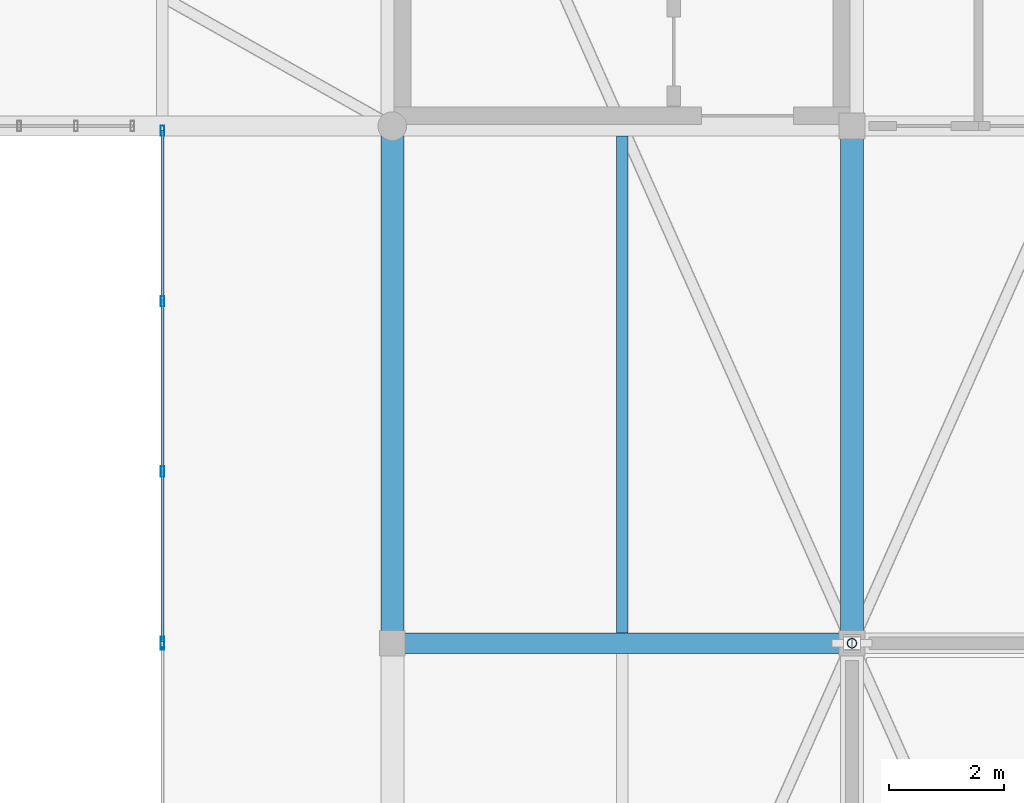
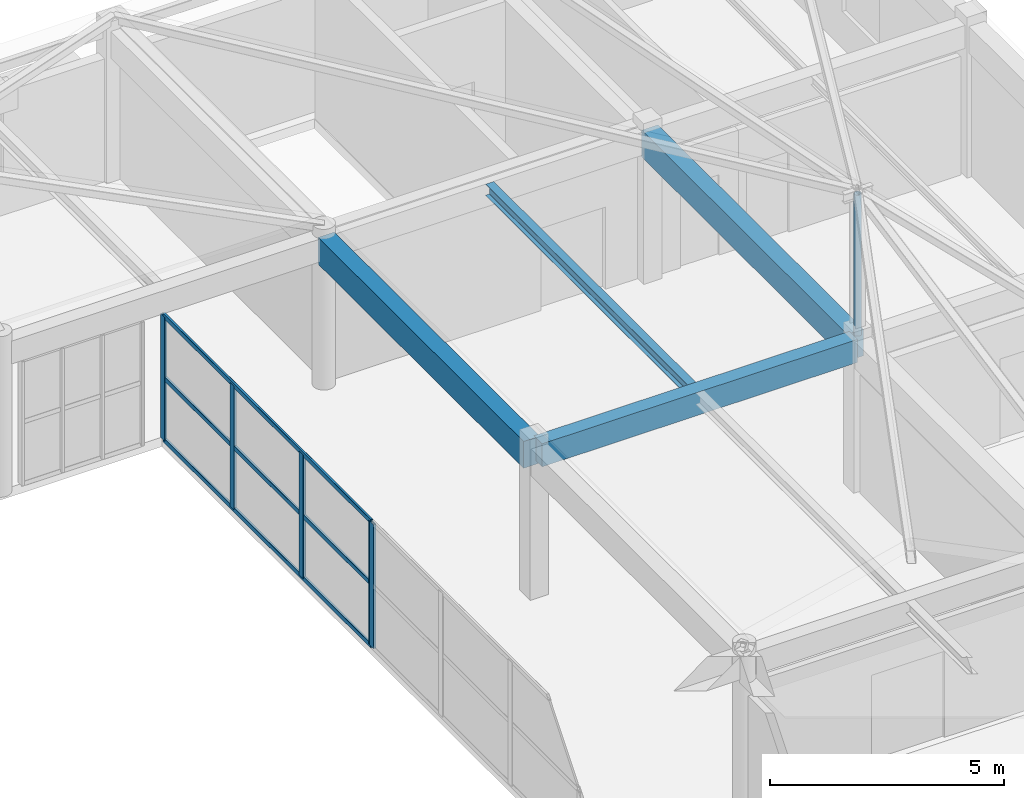
# One storey, part 34 of 63: 9 members, 4 beams, 2 elements without a shape of their own.
"""IFC4 building model written with IfcOpenShell, lengths in metres."""

from ifc_helpers import new_model, si_unit, direction, frame, origin, origin_2d, place, context, subcontext, project, spatial, rectangle, hollow_rectangle, hollow_circle, i_section, extrude, material, material_profile, profile_set, type_object, element, aggregate, save


model = new_model("IFC4")

# Units and contexts
model_context = context("Model", 3, precision=1e-05, world=origin(), true_north=direction((0.0, 1.0)))
body_context = subcontext(model_context, "Body", "Model", "MODEL_VIEW")
ifc_project = project(units=[si_unit("LENGTHUNIT", "METRE"), si_unit("AREAUNIT", "SQUARE_METRE"), si_unit("VOLUMEUNIT", "CUBIC_METRE"), si_unit("PLANEANGLEUNIT", "RADIAN"), si_unit("MASSUNIT", "GRAM", prefix="KILO")], contexts=[model_context])

# Site, building, storey
site_placement = place(None, origin())
site = spatial("IfcSite", under=ifc_project, at=site_placement, CompositionType="ELEMENT")
building_placement = place(site_placement, origin())
building = spatial("IfcBuilding", under=site, at=building_placement, Name="Varnabhumi Central Station", CompositionType="ELEMENT")
storey_placement = place(building_placement, frame((0.0, 0.0, 20.39990234375)))
storey = spatial("IfcBuildingStorey", under=building, at=storey_placement, Name="L04", CompositionType="ELEMENT", Elevation=20.39990234375)

# Beams
ifc_material_1 = material(Name="Concrete M40", Category="concrete")
ifc_material_profile_1 = material_profile(ifc_material_1, rectangle(XDim=0.35009765625, YDim=0.60009765625, at=origin_2d()), Name="Concrete M40", Category="concrete")
ifc_profile_set_1 = profile_set([ifc_material_profile_1], Name="Concrete M40")
beam_type_1 = type_object("IfcBeamType", Name="BM-RC-350x600", PredefinedType="BEAM", material=ifc_profile_set_1)
beam_1_placement = place(storey_placement, frame((80.10009765625, 98.0, 3.650146484375), z_axis=(1.0, 0.0, 0.0), x_axis=(0.0, 1.0, 0.0)))
element("IfcBeam", 1, at=beam_1_placement, inside=storey, type_object=beam_type_1, Name="Beam L04-M:11-12", PredefinedType="BEAM", context=body_context, shape_type="SweptSolid", body=[
    extrude(rectangle(XDim=0.35009765625, YDim=0.60009765625, at=origin_2d()), origin(), (0.0, 0.0, 1.0), 7.7998046875),
])
ifc_material_profile_2 = material_profile(ifc_material_1, rectangle(XDim=0.39990234375, YDim=0.699951171875, at=origin_2d()), Name="Concrete M40", Category="concrete")
ifc_profile_set_2 = profile_set([ifc_material_profile_2], Name="Concrete M40")
beam_type_2 = type_object("IfcBeamType", Name="BM-RC-700x400", PredefinedType="BEAM", material=ifc_profile_set_2)
for number, where, z_axis, x_axis, name in (
    (2, (80.0, 98.10009765625, 3.60009765625), (0.0, 1.0, 0.0), (-1.0, 0.0, 0.0), "Beam L04-11:M-N"),
    (3, (88.0, 98.10009765625, 3.60009765625), (0.0, 1.0, 0.0), (-1.0, 0.0, 0.0), "Beam L04-12:M-N"),
):
    element("IfcBeam", number, at=place(storey_placement, frame(where, z_axis=z_axis, x_axis=x_axis)), inside=storey, type_object=beam_type_2, Name=name, PredefinedType="BEAM", context=body_context, shape_type="SweptSolid", body=[
        extrude(rectangle(XDim=0.39990234375, YDim=0.699951171875, at=origin_2d()), origin(), (0.0, 0.0, 1.0), 8.7998046875),
    ])
ifc_material_2 = material(Name="Structural steel E350", Category="steel")
ifc_material_profile_3 = material_profile(ifc_material_2, i_section(OverallWidth=0.199951171875, OverallDepth=0.300048828125, WebThickness=0.00732421875, FlangeThickness=0.010009765625, FilletRadius=0.010986328125, at=origin_2d()), Name="Structural steel E350", Category="steel")
ifc_profile_set_3 = profile_set([ifc_material_profile_3], Name="Structural steel E350")
beam_type_3 = type_object("IfcBeamType", Name="BM-STL-ISWB300", PredefinedType="JOIST", material=ifc_profile_set_3)
beam_2_placement = place(storey_placement, frame((84.0, 98.175048828125, 3.800048828125), z_axis=(0.0, 1.0, 0.0), x_axis=(-1.0, 0.0, 0.0)))
element("IfcBeam", 4, at=beam_2_placement, inside=storey, type_object=beam_type_3, Name="Secondary Joist L04-11/12:M-N", PredefinedType="JOIST", context=body_context, shape_type="SweptSolid", body=[
    extrude(i_section(OverallWidth=0.199951171875, OverallDepth=0.300048828125, WebThickness=0.00732421875, FlangeThickness=0.010009765625, FilletRadius=0.010986328125, at=origin_2d()), origin(), (0.0, 0.0, 1.0), 8.64990234375),
])

# Curtain wall, member
ifc_material_3 = material(Name="Anodised aluminium 6063-T6", Category="aluminium")
curtain_wall_type = type_object("IfcCurtainWallType", Name="CW-PATIO-LOGGIA-L3", PredefinedType="NOTDEFINED", material=ifc_material_3)
curtain_wall_1_placement = place(storey_placement, origin())
curtain_wall_1 = element("IfcCurtainWall", 5, at=curtain_wall_1_placement, inside=storey, type_object=curtain_wall_type, Name="Curtain Wall CW-NP4W1", PredefinedType="NOTDEFINED")
ifc_material_profile_4 = material_profile(ifc_material_3, hollow_rectangle(XDim=0.06494140625, YDim=0.179931640625, WallThickness=0.00390625, InnerFilletRadius=0.001953125, OuterFilletRadius=0.006103515625, at=origin_2d()), Name="Anodised aluminium 6063-T6", Category="aluminium")
ifc_profile_set_4 = profile_set([ifc_material_profile_4], Name="Anodised aluminium 6063-T6")
member_type_1 = type_object("IfcMemberType", Name="CW-MUL-180", PredefinedType="MULLION", material=ifc_profile_set_4)
member_1_placement = place(storey_placement, frame((76.0, 97.97998046875, 0.0), z_axis=(0.0, 0.0, 1.0), x_axis=(1.0, 0.0, 0.0)))
member_1 = element("IfcMember", 6, at=member_1_placement, type_object=member_type_1, Name="Curtain Wall Mullion CW-NP4W1-M4", PredefinedType="MULLION", context=body_context, shape_type="SweptSolid", body=[
    extrude(hollow_rectangle(XDim=0.06494140625, YDim=0.179931640625, WallThickness=0.00390625, InnerFilletRadius=0.001953125, OuterFilletRadius=0.006103515625, at=origin_2d()), origin(), (0.0, 0.0, 1.0), 3.239990234375),
])
aggregate(curtain_wall_1, [member_1])

# Curtain wall, members
curtain_wall_2_placement = place(storey_placement, origin())
curtain_wall_2 = element("IfcCurtainWall", 7, at=curtain_wall_2_placement, inside=storey, type_object=curtain_wall_type, Name="Curtain Wall CW-NP4W2", PredefinedType="NOTDEFINED")
member_2_placement = place(storey_placement, frame((76.0, 98.02001953125, 0.0), z_axis=(0.0, 0.0, 1.0), x_axis=(1.0, 0.0, 0.0)))
member_2 = element("IfcMember", 8, at=member_2_placement, type_object=member_type_1, Name="Curtain Wall Mullion CW-NP4W2-M1", PredefinedType="MULLION", context=body_context, shape_type="SweptSolid", body=[
    extrude(hollow_rectangle(XDim=0.06494140625, YDim=0.179931640625, WallThickness=0.00390625, InnerFilletRadius=0.001953125, OuterFilletRadius=0.006103515625, at=origin_2d()), origin(), (0.0, 0.0, 1.0), 3.239990234375),
])
member_3_placement = place(storey_placement, frame((76.0, 100.986572265625, 0.0), z_axis=(0.0, 0.0, 1.0), x_axis=(1.0, 0.0, 0.0)))
member_3 = element("IfcMember", 9, at=member_3_placement, type_object=member_type_1, Name="Curtain Wall Mullion CW-NP4W2-M2", PredefinedType="MULLION", context=body_context, shape_type="SweptSolid", body=[
    extrude(hollow_rectangle(XDim=0.06494140625, YDim=0.179931640625, WallThickness=0.00390625, InnerFilletRadius=0.001953125, OuterFilletRadius=0.006103515625, at=origin_2d()), origin(), (0.0, 0.0, 1.0), 3.239990234375),
])
member_4_placement = place(storey_placement, frame((76.0, 103.953369140625, 0.0), z_axis=(0.0, 0.0, 1.0), x_axis=(1.0, 0.0, 0.0)))
member_4 = element("IfcMember", 10, at=member_4_placement, type_object=member_type_1, Name="Curtain Wall Mullion CW-NP4W2-M3", PredefinedType="MULLION", context=body_context, shape_type="SweptSolid", body=[
    extrude(hollow_rectangle(XDim=0.06494140625, YDim=0.179931640625, WallThickness=0.00390625, InnerFilletRadius=0.001953125, OuterFilletRadius=0.006103515625, at=origin_2d()), origin(), (0.0, 0.0, 1.0), 3.239990234375),
])
member_5_placement = place(storey_placement, frame((76.0, 106.919921875, 0.0), z_axis=(0.0, 0.0, 1.0), x_axis=(1.0, 0.0, 0.0)))
member_5 = element("IfcMember", 11, at=member_5_placement, type_object=member_type_1, Name="Curtain Wall Mullion CW-NP4W2-M4", PredefinedType="MULLION", context=body_context, shape_type="SweptSolid", body=[
    extrude(hollow_rectangle(XDim=0.06494140625, YDim=0.179931640625, WallThickness=0.00390625, InnerFilletRadius=0.001953125, OuterFilletRadius=0.006103515625, at=origin_2d()), origin(), (0.0, 0.0, 1.0), 3.239990234375),
])
ifc_material_profile_5 = material_profile(ifc_material_3, hollow_rectangle(XDim=0.054931640625, YDim=0.1201171875, WallThickness=0.00341796875, InnerFilletRadius=0.00146484375, OuterFilletRadius=0.0048828125, at=origin_2d()), Name="Anodised aluminium 6063-T6", Category="aluminium")
ifc_profile_set_5 = profile_set([ifc_material_profile_5], Name="Anodised aluminium 6063-T6")
member_type_2 = type_object("IfcMemberType", Name="CW-TR-120", PredefinedType="USERDEFINED", material=ifc_profile_set_5)
member_6_placement = place(storey_placement, frame((76.0, 98.02001953125, 0.0), z_axis=(0.0, 1.0, 0.0), x_axis=(-1.0, 0.0, 0.0)))
member_6 = element("IfcMember", 12, at=member_6_placement, type_object=member_type_2, Name="Curtain Wall Transom CW-NP4W2-T1", ObjectType="TRANSOM", PredefinedType="USERDEFINED", context=body_context, shape_type="SweptSolid", body=[
    extrude(hollow_rectangle(XDim=0.054931640625, YDim=0.1201171875, WallThickness=0.00341796875, InnerFilletRadius=0.00146484375, OuterFilletRadius=0.0048828125, at=origin_2d()), origin(), (0.0, 0.0, 1.0), 8.89990234375),
])
member_7_placement = place(storey_placement, frame((76.0, 98.02001953125, 1.6201171875), z_axis=(0.0, 1.0, 0.0), x_axis=(-1.0, 0.0, 0.0)))
member_7 = element("IfcMember", 13, at=member_7_placement, type_object=member_type_2, Name="Curtain Wall Transom CW-NP4W2-T2", ObjectType="TRANSOM", PredefinedType="USERDEFINED", context=body_context, shape_type="SweptSolid", body=[
    extrude(hollow_rectangle(XDim=0.054931640625, YDim=0.1201171875, WallThickness=0.00341796875, InnerFilletRadius=0.00146484375, OuterFilletRadius=0.0048828125, at=origin_2d()), origin(), (0.0, 0.0, 1.0), 8.89990234375),
])
member_8_placement = place(storey_placement, frame((76.0, 98.02001953125, 3.239990234375), z_axis=(0.0, 1.0, 0.0), x_axis=(-1.0, 0.0, 0.0)))
member_8 = element("IfcMember", 14, at=member_8_placement, type_object=member_type_2, Name="Curtain Wall Transom CW-NP4W2-T3", ObjectType="TRANSOM", PredefinedType="USERDEFINED", context=body_context, shape_type="SweptSolid", body=[
    extrude(hollow_rectangle(XDim=0.054931640625, YDim=0.1201171875, WallThickness=0.00341796875, InnerFilletRadius=0.00146484375, OuterFilletRadius=0.0048828125, at=origin_2d()), origin(), (0.0, 0.0, 1.0), 8.89990234375),
])
aggregate(curtain_wall_2, [member_2, member_3, member_4, member_5, member_6, member_7, member_8])

# Member
ifc_material_profile_6 = material_profile(ifc_material_2, hollow_circle(Radius=0.084228515625, WallThickness=0.008056640625, at=origin_2d()), Name="Structural steel E350", Category="steel")
ifc_profile_set_6 = profile_set([ifc_material_profile_6], Name="Structural steel E350")
member_type_3 = type_object("IfcMemberType", Name="MBR-STRUT-CHS168", PredefinedType="STRUT", material=ifc_profile_set_6)
member_9_placement = place(storey_placement, frame((88.0, 98.0, 3.9501953125), z_axis=(0.0, 0.0, 1.0), x_axis=(1.0, 0.0, 0.0)))
element("IfcMember", 15, at=member_9_placement, inside=storey, type_object=member_type_3, Name="Mission Roof King Strut NBP5-2", PredefinedType="STRUT", context=body_context, shape_type="SweptSolid", body=[
    extrude(hollow_circle(Radius=0.084228515625, WallThickness=0.008056640625, at=origin_2d()), origin(), (0.0, 0.0, 1.0), 3.679931640625),
])

save(model, "model.ifc")
